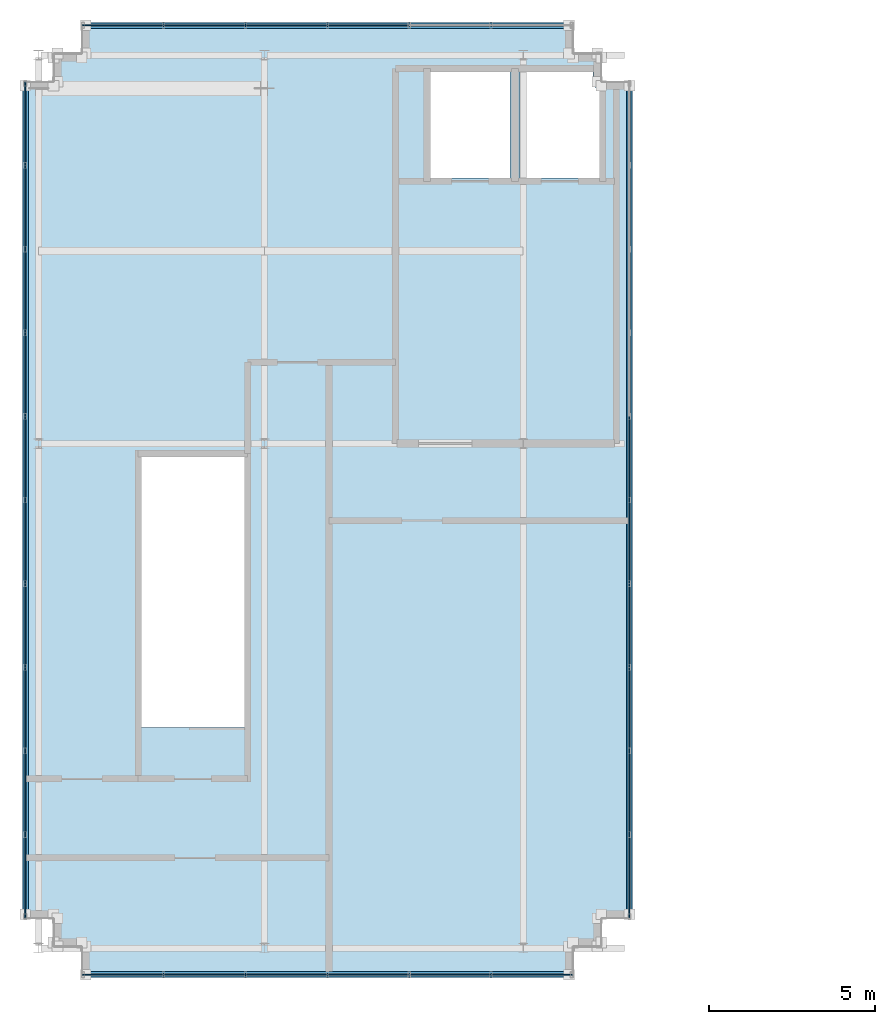
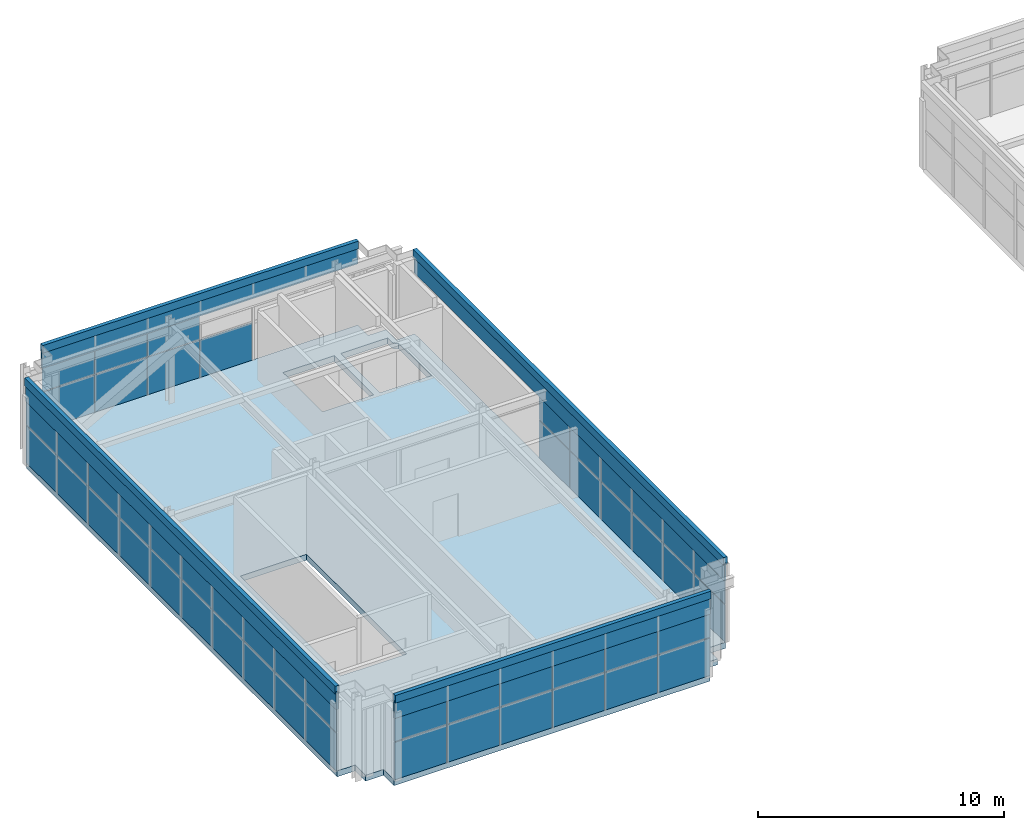
# One storey, part 18 of 25: 59 plates, 1 slab, 4 elements without a shape of their own.
"""IFC4 building model written with IfcOpenShell, lengths in metres."""

import ifcopenshell
import ifcopenshell.guid

model = None  # the IFC model being written
_history = None  # IfcOwnerHistory: only IFC2X3 demands one
_inside = {}  # id of a spatial element -> (the spatial element, [elements in it])
_under = {}  # id of a project, library or spatial element -> (it, [spatial elements below it])
_declared = {}  # id of a project -> (the project, [libraries it declares])
_typed = {}  # id of a type object -> (the type object, [elements of that type])
_made_of = {}  # id of a material, layer set ... -> (it, [elements and type objects made of it])


def new_model(schema):
    """Start an empty IFC model of exactly this schema.

    Asked for "IFC4X3", IfcOpenShell would pick the latest addendum, in which some entities
    have other attributes; the version numbers below select the first issue.
    IFC2X3 requires an IfcOwnerHistory on every rooted entity: one is made here for all.
    """
    global model, _history
    if schema == "IFC4X3":
        model = ifcopenshell.file(schema_version=(4, 3, 0, 0))
    else:
        model = ifcopenshell.file(schema=schema)
    _inside.clear()
    _under.clear()
    _declared.clear()
    _typed.clear()
    _made_of.clear()
    _history = None
    if model.schema == "IFC2X3":
        org = make("IfcOrganization", Name="unknown")
        user = make(
            "IfcPersonAndOrganization",
            ThePerson=make("IfcPerson", FamilyName="unknown"),
            TheOrganization=org,
        )
        app = make(
            "IfcApplication",
            ApplicationDeveloper=org,
            Version="unknown",
            ApplicationFullName="unknown",
            ApplicationIdentifier="unknown",
        )
        _history = make(
            "IfcOwnerHistory",
            OwningUser=user,
            OwningApplication=app,
            ChangeAction="ADDED",
            CreationDate=0,
        )
    return model


def make(cls, **values):
    """One entity of the class cls with the attributes given. An attribute that is None is left unset."""
    return model.create_entity(
        cls, **{name: value for name, value in values.items() if value is not None}
    )


def rooted(cls, **values):
    """An entity with a GlobalId (a new one), such as an element, a storey or a relation."""
    return make(cls, GlobalId=ifcopenshell.guid.new(), OwnerHistory=_history, **values)


def si_unit(unit_type, name, prefix=None):
    """IfcSIUnit, for example si_unit("LENGTHUNIT", "METRE", prefix="MILLI")."""
    return make("IfcSIUnit", UnitType=unit_type, Prefix=prefix, Name=name)


def assignment(units):
    """IfcUnitAssignment: the units of a project."""
    return None if units is None else make("IfcUnitAssignment", Units=units)


def point(xyz):
    """IfcCartesianPoint."""
    return None if xyz is None else make("IfcCartesianPoint", Coordinates=xyz)


def direction(xyz):
    """IfcDirection."""
    return None if xyz is None else make("IfcDirection", DirectionRatios=xyz)


def frame(location, z_axis=None, x_axis=None):
    """IfcAxis2Placement3D, a coordinate frame: its origin and axes. An axis left out is left unset."""
    return make(
        "IfcAxis2Placement3D",
        Location=point(location),
        Axis=direction(z_axis),
        RefDirection=direction(x_axis),
    )


def frame_2d(location, x_axis=None):
    """IfcAxis2Placement2D, a coordinate frame in the plane: its origin and x axis."""
    return make(
        "IfcAxis2Placement2D", Location=point(location), RefDirection=direction(x_axis)
    )


def origin():
    """The frame at (0, 0, 0) with its axes left unset."""
    return frame((0.0, 0.0, 0.0))


def origin_2d():
    """The frame at (0, 0) in the plane with its x axis left unset."""
    return frame_2d((0.0, 0.0))


def place(relative_to, where):
    """IfcLocalPlacement: puts the frame where relative to a parent placement (None: the world)."""
    return make(
        "IfcLocalPlacement", PlacementRelTo=relative_to, RelativePlacement=where
    )


def context(
    kind, dimensions, precision=None, world=None, true_north=None, identifier=None
):
    """IfcGeometricRepresentationContext, for example the 3D "Model" context."""
    return make(
        "IfcGeometricRepresentationContext",
        ContextIdentifier=identifier,
        ContextType=kind,
        CoordinateSpaceDimension=dimensions,
        Precision=precision,
        WorldCoordinateSystem=world,
        TrueNorth=true_north,
    )


def subcontext(parent, identifier, kind, view, scale=None):
    """IfcGeometricRepresentationSubContext, for example "Body" below "Model"."""
    return make(
        "IfcGeometricRepresentationSubContext",
        ContextIdentifier=identifier,
        ContextType=kind,
        ParentContext=parent,
        TargetScale=scale,
        TargetView=view,
    )


def project(units=None, contexts=None):
    """IfcProject with its units and contexts."""
    return rooted(
        "IfcProject",
        Name="project",
        RepresentationContexts=contexts,
        UnitsInContext=assignment(units),
    )


def spatial(cls, under=None, at=None, **own):
    """A site, building, storey or space (cls), placed at a placement, below another one or the project."""
    s = rooted(cls, ObjectPlacement=at, **own)
    if under is not None:
        _under.setdefault(under.id(), (under, []))[1].append(s)
    return s


def polyline(points):
    """IfcPolyline through the points."""
    return make("IfcPolyline", Points=[point(p) for p in points])


def profile(cls, at=None, kind="AREA", **sizes):
    """A parametric profile (cls). Its sizes go by their IFC names, for example OverallWidth=200.0."""
    return make(cls, ProfileType=kind, Position=at, **sizes)


def rectangle(**sizes):
    """IfcRectangleProfileDef."""
    return profile("IfcRectangleProfileDef", **sizes)


def outline(outer, holes=None, kind="AREA"):
    """IfcArbitraryClosedProfileDef: a profile drawn as a closed curve; with holes, ...WithVoids."""
    if holes is None:
        return make("IfcArbitraryClosedProfileDef", ProfileType=kind, OuterCurve=outer)
    return make(
        "IfcArbitraryProfileDefWithVoids",
        ProfileType=kind,
        OuterCurve=outer,
        InnerCurves=holes,
    )


def extrude(swept, where, along, depth):
    """IfcExtrudedAreaSolid: the profile swept, set in the frame where, extruded along a direction by depth."""
    return make(
        "IfcExtrudedAreaSolid",
        SweptArea=swept,
        Position=where,
        ExtrudedDirection=direction(along),
        Depth=depth,
    )


def shape(context_of_items, identifier, shape_type, items):
    """IfcShapeRepresentation: the items that make up one representation, for example the "Body"."""
    return make(
        "IfcShapeRepresentation",
        ContextOfItems=context_of_items,
        RepresentationIdentifier=identifier,
        RepresentationType=shape_type,
        Items=items,
    )


def source(mapping_origin, context_of_items, identifier, shape_type, items):
    """IfcRepresentationMap: a shape defined once, which mapped items show again and again."""
    return make(
        "IfcRepresentationMap",
        MappingOrigin=mapping_origin,
        MappedRepresentation=shape(context_of_items, identifier, shape_type, items),
    )


def transform(
    local_origin,
    x_axis=None,
    y_axis=None,
    z_axis=None,
    scale=None,
    scale2=None,
    scale3=None,
    uniform=True,
):
    """IfcCartesianTransformationOperator3D, or its non-uniform kind. x_axis, y_axis, z_axis: its Axis1, 2, 3."""
    if uniform:
        return make(
            "IfcCartesianTransformationOperator3D",
            Axis1=direction(x_axis),
            Axis2=direction(y_axis),
            LocalOrigin=point(local_origin),
            Scale=scale,
            Axis3=direction(z_axis),
        )
    return make(
        "IfcCartesianTransformationOperator3DnonUniform",
        Axis1=direction(x_axis),
        Axis2=direction(y_axis),
        LocalOrigin=point(local_origin),
        Scale=scale,
        Axis3=direction(z_axis),
        Scale2=scale2,
        Scale3=scale3,
    )


def mapped(mapping_source, mapping_target):
    """IfcMappedItem: shows the shape of a source again, moved by a transform."""
    return make(
        "IfcMappedItem", MappingSource=mapping_source, MappingTarget=mapping_target
    )


def material(Name=None, Category=None):
    """IfcMaterial."""
    return make("IfcMaterial", Name=Name, Category=Category)


def layer(
    of_material, thickness, ventilated=None, Name=None, Category=None, Priority=None
):
    """IfcMaterialLayer: one layer of a wall or slab, of a material (None: an air gap)."""
    return make(
        "IfcMaterialLayer",
        Material=of_material,
        LayerThickness=thickness,
        IsVentilated=ventilated,
        Name=Name,
        Category=Category,
        Priority=Priority,
    )


def layer_set(layers, Name=None):
    """IfcMaterialLayerSet."""
    return make("IfcMaterialLayerSet", MaterialLayers=layers, LayerSetName=Name)


def made_of(thing, what):
    """Note that an element or type object is made of a material, layer set ...; save() writes the relation."""
    if what is not None:
        _made_of.setdefault(what.id(), (what, []))[1].append(thing)
    return thing


def type_object(cls, material=None, **own):
    """A type object (cls), such as IfcWallType, which elements share."""
    return made_of(rooted(cls, **own), material)


def element(
    cls,
    number,
    at=None,
    inside=None,
    cuts=None,
    type_object=None,
    material=None,
    context=None,
    identifier="Body",
    shape_type=None,
    held_by="IfcProductDefinitionShape",
    body=None,
    shapes=None,
    **own,
):
    """One element of the class cls, such as IfcWall. Its Tag is "e" and its number.

    at: its placement. inside: the storey or other place that contains it. cuts: it is an
    opening in that element (IfcRelVoidsElement). A single representation is given by context,
    identifier, shape_type and body (its items); several are given by shapes. held_by: the class
    of the entity that holds the representations. save() writes the other relations.
    """
    e = rooted(cls, Tag="e%d" % number, ObjectPlacement=at, **own)
    if body is not None:
        shapes = [shape(context, identifier, shape_type, body)]
    if shapes is not None:
        e.Representation = make(held_by, Representations=shapes)
    if inside is not None:
        _inside.setdefault(inside.id(), (inside, []))[1].append(e)
    if cuts is not None:
        rooted(
            "IfcRelVoidsElement", RelatingBuildingElement=cuts, RelatedOpeningElement=e
        )
    if type_object is not None:
        _typed.setdefault(type_object.id(), (type_object, []))[1].append(e)
    return made_of(e, material)


def aggregate(whole, parts):
    """IfcRelAggregates: a whole, such as a stair, and the parts it consists of."""
    return rooted("IfcRelAggregates", RelatingObject=whole, RelatedObjects=parts)


def save(model, path):
    """Write the relations noted so far, then the file.

    IfcRelAggregates (storeys below a building ...), IfcRelContainedInSpatialStructure (elements
    in a storey), IfcRelDefinesByType, IfcRelAssociatesMaterial and IfcRelDeclares: one each for
    every whole, place, type object, material and project.
    """
    for whole, parts in _under.values():
        aggregate(whole, parts)
    for where, things in _inside.values():
        rooted(
            "IfcRelContainedInSpatialStructure",
            RelatedElements=things,
            RelatingStructure=where,
        )
    for kind, things in _typed.values():
        rooted("IfcRelDefinesByType", RelatedObjects=things, RelatingType=kind)
    for what, things in _made_of.values():
        rooted("IfcRelAssociatesMaterial", RelatedObjects=things, RelatingMaterial=what)
    for by, libraries in _declared.values():
        rooted("IfcRelDeclares", RelatingContext=by, RelatedDefinitions=libraries)
    model.write(path)


model = new_model("IFC4")

# Units and contexts
model_context = context("Model", 3, precision=1e-05, world=origin(), true_north=direction((0.0, 1.0)))
body_context = subcontext(model_context, "Body", "Model", "MODEL_VIEW")
ifc_project = project(units=[si_unit("LENGTHUNIT", "METRE"), si_unit("AREAUNIT", "SQUARE_METRE"), si_unit("VOLUMEUNIT", "CUBIC_METRE"), si_unit("PLANEANGLEUNIT", "RADIAN"), si_unit("MASSUNIT", "GRAM", prefix="KILO")], contexts=[model_context])

# Site, building, storey
site_placement = place(None, origin())
site = spatial("IfcSite", under=ifc_project, at=site_placement, CompositionType="ELEMENT")
building_placement = place(site_placement, origin())
building = spatial("IfcBuilding", under=site, at=building_placement, Name="Trelvane Seafront Commons", CompositionType="ELEMENT")
storey_placement = place(building_placement, frame((0.0, 0.0, 320.89990234375)))
storey = spatial("IfcBuildingStorey", under=building, at=storey_placement, Name="L83", CompositionType="ELEMENT", Elevation=320.89990234375)

# Slab
ifc_material_1 = material(Name="Concrete C50/60", Category="concrete")
ifc_layer_1 = layer(ifc_material_1, 0.2900390625, Name="STR-SLB-CRN290")
ifc_layer_set_1 = layer_set([ifc_layer_1], Name="Concrete C50/60")
slab_type = type_object("IfcSlabType", Name="STR-SLB-CRN290", PredefinedType="FLOOR", material=ifc_layer_set_1)
slab_placement = place(storey_placement, frame((0.0, 0.0, -0.289794921875)))
element("IfcSlab", 1, at=slab_placement, inside=storey, type_object=slab_type, Name="L83 West Crown Peak Floor Slab", PredefinedType="FLOOR", context=body_context, shape_type="SweptSolid", body=[
    extrude(outline(polyline([(10.10009765625, 17.39990234375), (24.89990234375, 17.39990234375), (24.89990234375, 18.25), (25.75, 18.25), (25.75, 19.10009765625), (26.60009765625, 19.10009765625), (26.60009765625, 44.300048828125), (25.75, 44.300048828125), (25.75, 45.14990234375), (24.89990234375, 45.14990234375), (24.89990234375, 46.0), (10.10009765625, 46.0), (10.10009765625, 45.14990234375), (9.25, 45.14990234375), (9.25, 44.300048828125), (8.39990234375, 44.300048828125), (8.39990234375, 19.10009765625), (9.25, 19.10009765625), (9.25, 18.25), (10.10009765625, 18.25), (10.10009765625, 17.39990234375)]), holes=[polyline([(15.0, 33.0), (15.0, 24.85009765625), (11.89990234375, 24.85009765625), (11.89990234375, 33.0), (15.0, 33.0)]), polyline([(23.0, 44.60009765625), (23.0, 41.39990234375), (20.60009765625, 41.39990234375), (20.60009765625, 44.60009765625), (23.0, 44.60009765625)]), polyline([(25.5, 44.60009765625), (25.5, 44.300048828125), (25.501220703125, 44.275390625), (25.5048828125, 44.251220703125), (25.5107421875, 44.227294921875), (25.51904296875, 44.204345703125), (25.529541015625, 44.18212890625), (25.5419921875, 44.1611328125), (25.556640625, 44.141357421875), (25.5732421875, 44.123291015625), (25.59130859375, 44.106689453125), (25.611083984375, 44.092041015625), (25.632080078125, 44.07958984375), (25.654296875, 44.069091796875), (25.677490234375, 44.060791015625), (25.699951171875, 44.05517578125), (25.699951171875, 41.39990234375), (23.300048828125, 41.39990234375), (23.300048828125, 44.60009765625), (25.5, 44.60009765625)])]), origin(), (0.0, 0.0, 1.0), 0.289794921875),
])

# Plates
ifc_material_2 = material(Name="Anodised pale-silver aluminium", Category="aluminium")
ifc_layer_2 = layer(ifc_material_2, 0.080078125, Name="ARCH-PLATE-LOUVRE")
ifc_layer_set_2 = layer_set([ifc_layer_2], Name="Anodised pale-silver aluminium")
plate_type_1 = type_object("IfcPlateType", Name="ARCH-PLATE-LOUVRE", PredefinedType="USERDEFINED", material=ifc_layer_set_2)
shared_shape_1 = source(origin(), body_context, "Body", "SweptSolid", [
    extrude(rectangle(XDim=25.199951171875, YDim=0.080078125, at=origin_2d()), origin(), (0.0, 0.0, 1.0), 0.889892578125),
])
for number, where, z_axis, x_axis, name in (
    (2, (8.39990234375, 31.699951171875, 3.05029296875), (0.0, 0.0, 1.0), (0.0, 1.0, 0.0), "LOU-L83-049"),
    (3, (26.60009765625, 31.699951171875, 3.05029296875), (0.0, 0.0, 1.0), (0.0, -1.0, 0.0), "LOU-L83-051"),
):
    element("IfcPlate", number, at=place(storey_placement, frame(where, z_axis=z_axis, x_axis=x_axis)), inside=storey, type_object=plate_type_1, Name=name, ObjectType="LOUVRE", PredefinedType="USERDEFINED", context=body_context, shape_type="MappedRepresentation", body=[
        mapped(shared_shape_1, transform((0.0, 0.0, 0.0), x_axis=(1.0, 0.0, 0.0), y_axis=(0.0, 1.0, 0.0), z_axis=(0.0, 0.0, 1.0), scale=1.0)),
    ])
shared_shape_2 = source(origin(), body_context, "Body", "SweptSolid", [
    extrude(rectangle(XDim=14.800048828125, YDim=0.080078125, at=origin_2d()), origin(), (0.0, 0.0, 1.0), 0.889892578125),
])
for number, where, z_axis, x_axis, name in (
    (4, (17.5, 46.0, 3.05029296875), (0.0, 0.0, 1.0), (1.0, 0.0, 0.0), "LOU-L83-050"),
    (5, (17.5, 17.39990234375, 3.05029296875), (0.0, 0.0, 1.0), (-1.0, 0.0, 0.0), "LOU-L83-052"),
):
    element("IfcPlate", number, at=place(storey_placement, frame(where, z_axis=z_axis, x_axis=x_axis)), inside=storey, type_object=plate_type_1, Name=name, ObjectType="LOUVRE", PredefinedType="USERDEFINED", context=body_context, shape_type="MappedRepresentation", body=[
        mapped(shared_shape_2, transform((0.0, 0.0, 0.0), x_axis=(1.0, 0.0, 0.0), y_axis=(0.0, 1.0, 0.0), z_axis=(0.0, 0.0, 1.0), scale=1.0)),
    ])

# Curtain wall, plates
curtain_wall_type = type_object("IfcCurtainWallType", Name="ARCH-CW6-CROWN", PredefinedType="NOTDEFINED", material=ifc_material_2)
curtain_wall_1_placement = place(storey_placement, origin())
curtain_wall_1 = element("IfcCurtainWall", 6, at=curtain_wall_1_placement, inside=storey, type_object=curtain_wall_type, Name="CW-L83-0160", PredefinedType="NOTDEFINED")
ifc_material_3 = material(Name="Low-E coastal double glazing", Category="glass")
ifc_layer_3 = layer(ifc_material_3, 0.033935546875, Name="ARCH-CW-GLAZ-34")
ifc_layer_set_3 = layer_set([ifc_layer_3], Name="Low-E coastal double glazing")
plate_type_2 = type_object("IfcPlateType", Name="ARCH-CW-GLAZ-34", PredefinedType="CURTAIN_PANEL", material=ifc_layer_set_3)
shared_shape_3 = source(origin(), body_context, "Body", "SweptSolid", [
    extrude(rectangle(XDim=2.49609375, YDim=0.031982421875, at=origin_2d()), origin(), (0.0, 0.0, 1.0), 1.85400390625),
])
plate_1_placement = place(storey_placement, frame((8.39990234375, 20.360107421875, 0.0), z_axis=(0.0, 0.0, 1.0), x_axis=(0.0, 1.0, 0.0)))
plate_1 = element("IfcPlate", 7, at=plate_1_placement, type_object=plate_type_2, Name="CW-L83-0160-P00-1", PredefinedType="CURTAIN_PANEL", context=body_context, shape_type="MappedRepresentation", body=[
    mapped(shared_shape_3, transform((0.0, 0.0, 0.0), x_axis=(1.0, 0.0, 0.0), y_axis=(0.0, 1.0, 0.0), z_axis=(0.0, 0.0, 1.0), scale=1.0)),
])
plate_2_placement = place(storey_placement, frame((8.39990234375, 22.8798828125, 0.0), z_axis=(0.0, 0.0, 1.0), x_axis=(0.0, 1.0, 0.0)))
plate_2 = element("IfcPlate", 8, at=plate_2_placement, type_object=plate_type_2, Name="CW-L83-0160-P01-1", PredefinedType="CURTAIN_PANEL", context=body_context, shape_type="MappedRepresentation", body=[
    mapped(shared_shape_3, transform((0.0, 0.0, 0.0), x_axis=(1.0, 0.0, 0.0), y_axis=(0.0, 1.0, 0.0), z_axis=(0.0, 0.0, 1.0), scale=1.0)),
])
plate_3_placement = place(storey_placement, frame((8.39990234375, 25.39990234375, 0.0), z_axis=(0.0, 0.0, 1.0), x_axis=(0.0, 1.0, 0.0)))
plate_3 = element("IfcPlate", 9, at=plate_3_placement, type_object=plate_type_2, Name="CW-L83-0160-P02-1", PredefinedType="CURTAIN_PANEL", context=body_context, shape_type="MappedRepresentation", body=[
    mapped(shared_shape_3, transform((0.0, 0.0, 0.0), x_axis=(1.0, 0.0, 0.0), y_axis=(0.0, 1.0, 0.0), z_axis=(0.0, 0.0, 1.0), scale=1.0)),
])
plate_4_placement = place(storey_placement, frame((8.39990234375, 27.919921875, 0.0), z_axis=(0.0, 0.0, 1.0), x_axis=(0.0, 1.0, 0.0)))
plate_4 = element("IfcPlate", 10, at=plate_4_placement, type_object=plate_type_2, Name="CW-L83-0160-P03-1", PredefinedType="CURTAIN_PANEL", context=body_context, shape_type="MappedRepresentation", body=[
    mapped(shared_shape_3, transform((0.0, 0.0, 0.0), x_axis=(1.0, 0.0, 0.0), y_axis=(0.0, 1.0, 0.0), z_axis=(0.0, 0.0, 1.0), scale=1.0)),
])
plate_5_placement = place(storey_placement, frame((8.39990234375, 30.43994140625, 0.0), z_axis=(0.0, 0.0, 1.0), x_axis=(0.0, 1.0, 0.0)))
plate_5 = element("IfcPlate", 11, at=plate_5_placement, type_object=plate_type_2, Name="CW-L83-0160-P04-1", PredefinedType="CURTAIN_PANEL", context=body_context, shape_type="MappedRepresentation", body=[
    mapped(shared_shape_3, transform((0.0, 0.0, 0.0), x_axis=(1.0, 0.0, 0.0), y_axis=(0.0, 1.0, 0.0), z_axis=(0.0, 0.0, 1.0), scale=1.0)),
])
plate_6_placement = place(storey_placement, frame((8.39990234375, 32.9599609375, 0.0), z_axis=(0.0, 0.0, 1.0), x_axis=(0.0, 1.0, 0.0)))
plate_6 = element("IfcPlate", 12, at=plate_6_placement, type_object=plate_type_2, Name="CW-L83-0160-P05-1", PredefinedType="CURTAIN_PANEL", context=body_context, shape_type="MappedRepresentation", body=[
    mapped(shared_shape_3, transform((0.0, 0.0, 0.0), x_axis=(1.0, 0.0, 0.0), y_axis=(0.0, 1.0, 0.0), z_axis=(0.0, 0.0, 1.0), scale=1.0)),
])
plate_7_placement = place(storey_placement, frame((8.39990234375, 35.47998046875, 0.0), z_axis=(0.0, 0.0, 1.0), x_axis=(0.0, 1.0, 0.0)))
plate_7 = element("IfcPlate", 13, at=plate_7_placement, type_object=plate_type_2, Name="CW-L83-0160-P06-1", PredefinedType="CURTAIN_PANEL", context=body_context, shape_type="MappedRepresentation", body=[
    mapped(shared_shape_3, transform((0.0, 0.0, 0.0), x_axis=(1.0, 0.0, 0.0), y_axis=(0.0, 1.0, 0.0), z_axis=(0.0, 0.0, 1.0), scale=1.0)),
])
plate_8_placement = place(storey_placement, frame((8.39990234375, 38.0, 0.0), z_axis=(0.0, 0.0, 1.0), x_axis=(0.0, 1.0, 0.0)))
plate_8 = element("IfcPlate", 14, at=plate_8_placement, type_object=plate_type_2, Name="CW-L83-0160-P07-1", PredefinedType="CURTAIN_PANEL", context=body_context, shape_type="MappedRepresentation", body=[
    mapped(shared_shape_3, transform((0.0, 0.0, 0.0), x_axis=(1.0, 0.0, 0.0), y_axis=(0.0, 1.0, 0.0), z_axis=(0.0, 0.0, 1.0), scale=1.0)),
])
plate_9_placement = place(storey_placement, frame((8.39990234375, 40.52001953125, 0.0), z_axis=(0.0, 0.0, 1.0), x_axis=(0.0, 1.0, 0.0)))
plate_9 = element("IfcPlate", 15, at=plate_9_placement, type_object=plate_type_2, Name="CW-L83-0160-P08-1", PredefinedType="CURTAIN_PANEL", context=body_context, shape_type="MappedRepresentation", body=[
    mapped(shared_shape_3, transform((0.0, 0.0, 0.0), x_axis=(1.0, 0.0, 0.0), y_axis=(0.0, 1.0, 0.0), z_axis=(0.0, 0.0, 1.0), scale=1.0)),
])
plate_10_placement = place(storey_placement, frame((8.39990234375, 43.0400390625, 0.0), z_axis=(0.0, 0.0, 1.0), x_axis=(0.0, 1.0, 0.0)))
plate_10 = element("IfcPlate", 16, at=plate_10_placement, type_object=plate_type_2, Name="CW-L83-0160-P09-1", PredefinedType="CURTAIN_PANEL", context=body_context, shape_type="MappedRepresentation", body=[
    mapped(shared_shape_3, transform((0.0, 0.0, 0.0), x_axis=(1.0, 0.0, 0.0), y_axis=(0.0, 1.0, 0.0), z_axis=(0.0, 0.0, 1.0), scale=1.0)),
])

curtain_wall_2_placement = place(storey_placement, origin())
curtain_wall_2 = element("IfcCurtainWall", 17, at=curtain_wall_2_placement, inside=storey, type_object=curtain_wall_type, Name="CW-L83-0162", PredefinedType="NOTDEFINED")
plate_11_placement = place(storey_placement, frame((26.60009765625, 32.9599609375, 0.0), z_axis=(0.0, 0.0, 1.0), x_axis=(0.0, -1.0, 0.0)))
plate_11 = element("IfcPlate", 18, at=plate_11_placement, type_object=plate_type_2, Name="CW-L83-0162-P04-1", PredefinedType="CURTAIN_PANEL", context=body_context, shape_type="MappedRepresentation", body=[
    mapped(shared_shape_3, transform((0.0, 0.0, 0.0), x_axis=(1.0, 0.0, 0.0), y_axis=(0.0, 1.0, 0.0), z_axis=(0.0, 0.0, 1.0), scale=1.0)),
])
plate_12_placement = place(storey_placement, frame((26.60009765625, 30.43994140625, 0.0), z_axis=(0.0, 0.0, 1.0), x_axis=(0.0, -1.0, 0.0)))
plate_12 = element("IfcPlate", 19, at=plate_12_placement, type_object=plate_type_2, Name="CW-L83-0162-P05-1", PredefinedType="CURTAIN_PANEL", context=body_context, shape_type="MappedRepresentation", body=[
    mapped(shared_shape_3, transform((0.0, 0.0, 0.0), x_axis=(1.0, 0.0, 0.0), y_axis=(0.0, 1.0, 0.0), z_axis=(0.0, 0.0, 1.0), scale=1.0)),
])
plate_13_placement = place(storey_placement, frame((26.60009765625, 27.919921875, 0.0), z_axis=(0.0, 0.0, 1.0), x_axis=(0.0, -1.0, 0.0)))
plate_13 = element("IfcPlate", 20, at=plate_13_placement, type_object=plate_type_2, Name="CW-L83-0162-P06-1", PredefinedType="CURTAIN_PANEL", context=body_context, shape_type="MappedRepresentation", body=[
    mapped(shared_shape_3, transform((0.0, 0.0, 0.0), x_axis=(1.0, 0.0, 0.0), y_axis=(0.0, 1.0, 0.0), z_axis=(0.0, 0.0, 1.0), scale=1.0)),
])
plate_14_placement = place(storey_placement, frame((26.60009765625, 25.39990234375, 0.0), z_axis=(0.0, 0.0, 1.0), x_axis=(0.0, -1.0, 0.0)))
plate_14 = element("IfcPlate", 21, at=plate_14_placement, type_object=plate_type_2, Name="CW-L83-0162-P07-1", PredefinedType="CURTAIN_PANEL", context=body_context, shape_type="MappedRepresentation", body=[
    mapped(shared_shape_3, transform((0.0, 0.0, 0.0), x_axis=(1.0, 0.0, 0.0), y_axis=(0.0, 1.0, 0.0), z_axis=(0.0, 0.0, 1.0), scale=1.0)),
])
plate_15_placement = place(storey_placement, frame((26.60009765625, 22.8798828125, 0.0), z_axis=(0.0, 0.0, 1.0), x_axis=(0.0, -1.0, 0.0)))
plate_15 = element("IfcPlate", 22, at=plate_15_placement, type_object=plate_type_2, Name="CW-L83-0162-P08-1", PredefinedType="CURTAIN_PANEL", context=body_context, shape_type="MappedRepresentation", body=[
    mapped(shared_shape_3, transform((0.0, 0.0, 0.0), x_axis=(1.0, 0.0, 0.0), y_axis=(0.0, 1.0, 0.0), z_axis=(0.0, 0.0, 1.0), scale=1.0)),
])
plate_16_placement = place(storey_placement, frame((26.60009765625, 20.360107421875, 0.0), z_axis=(0.0, 0.0, 1.0), x_axis=(0.0, -1.0, 0.0)))
plate_16 = element("IfcPlate", 23, at=plate_16_placement, type_object=plate_type_2, Name="CW-L83-0162-P09-1", PredefinedType="CURTAIN_PANEL", context=body_context, shape_type="MappedRepresentation", body=[
    mapped(shared_shape_3, transform((0.0, 0.0, 0.0), x_axis=(1.0, 0.0, 0.0), y_axis=(0.0, 1.0, 0.0), z_axis=(0.0, 0.0, 1.0), scale=1.0)),
])

# Plate
shared_shape_4 = source(origin(), body_context, "Body", "SweptSolid", [
    extrude(rectangle(XDim=2.49609375, YDim=0.031982421875, at=origin_2d()), origin(), (0.0, 0.0, 1.0), 2.010009765625),
])
plate_17_placement = place(storey_placement, frame((8.39990234375, 20.360107421875, 1.89013671875), z_axis=(0.0, 0.0, 1.0), x_axis=(0.0, 1.0, 0.0)))
plate_17 = element("IfcPlate", 24, at=plate_17_placement, type_object=plate_type_2, Name="CW-L83-0160-P00-2", PredefinedType="CURTAIN_PANEL", context=body_context, shape_type="MappedRepresentation", body=[
    mapped(shared_shape_4, transform((0.0, 0.0, 0.0), x_axis=(1.0, 0.0, 0.0), y_axis=(0.0, 1.0, 0.0), z_axis=(0.0, 0.0, 1.0), scale=1.0)),
])

plate_18_placement = place(storey_placement, frame((8.39990234375, 22.8798828125, 1.89013671875), z_axis=(0.0, 0.0, 1.0), x_axis=(0.0, 1.0, 0.0)))
plate_18 = element("IfcPlate", 25, at=plate_18_placement, type_object=plate_type_2, Name="CW-L83-0160-P01-2", PredefinedType="CURTAIN_PANEL", context=body_context, shape_type="MappedRepresentation", body=[
    mapped(shared_shape_4, transform((0.0, 0.0, 0.0), x_axis=(1.0, 0.0, 0.0), y_axis=(0.0, 1.0, 0.0), z_axis=(0.0, 0.0, 1.0), scale=1.0)),
])

plate_19_placement = place(storey_placement, frame((8.39990234375, 25.39990234375, 1.89013671875), z_axis=(0.0, 0.0, 1.0), x_axis=(0.0, 1.0, 0.0)))
plate_19 = element("IfcPlate", 26, at=plate_19_placement, type_object=plate_type_2, Name="CW-L83-0160-P02-2", PredefinedType="CURTAIN_PANEL", context=body_context, shape_type="MappedRepresentation", body=[
    mapped(shared_shape_4, transform((0.0, 0.0, 0.0), x_axis=(1.0, 0.0, 0.0), y_axis=(0.0, 1.0, 0.0), z_axis=(0.0, 0.0, 1.0), scale=1.0)),
])

plate_20_placement = place(storey_placement, frame((8.39990234375, 27.919921875, 1.89013671875), z_axis=(0.0, 0.0, 1.0), x_axis=(0.0, 1.0, 0.0)))
plate_20 = element("IfcPlate", 27, at=plate_20_placement, type_object=plate_type_2, Name="CW-L83-0160-P03-2", PredefinedType="CURTAIN_PANEL", context=body_context, shape_type="MappedRepresentation", body=[
    mapped(shared_shape_4, transform((0.0, 0.0, 0.0), x_axis=(1.0, 0.0, 0.0), y_axis=(0.0, 1.0, 0.0), z_axis=(0.0, 0.0, 1.0), scale=1.0)),
])

plate_21_placement = place(storey_placement, frame((8.39990234375, 30.43994140625, 1.89013671875), z_axis=(0.0, 0.0, 1.0), x_axis=(0.0, 1.0, 0.0)))
plate_21 = element("IfcPlate", 28, at=plate_21_placement, type_object=plate_type_2, Name="CW-L83-0160-P04-2", PredefinedType="CURTAIN_PANEL", context=body_context, shape_type="MappedRepresentation", body=[
    mapped(shared_shape_4, transform((0.0, 0.0, 0.0), x_axis=(1.0, 0.0, 0.0), y_axis=(0.0, 1.0, 0.0), z_axis=(0.0, 0.0, 1.0), scale=1.0)),
])

plate_22_placement = place(storey_placement, frame((8.39990234375, 32.9599609375, 1.89013671875), z_axis=(0.0, 0.0, 1.0), x_axis=(0.0, 1.0, 0.0)))
plate_22 = element("IfcPlate", 29, at=plate_22_placement, type_object=plate_type_2, Name="CW-L83-0160-P05-2", PredefinedType="CURTAIN_PANEL", context=body_context, shape_type="MappedRepresentation", body=[
    mapped(shared_shape_4, transform((0.0, 0.0, 0.0), x_axis=(1.0, 0.0, 0.0), y_axis=(0.0, 1.0, 0.0), z_axis=(0.0, 0.0, 1.0), scale=1.0)),
])

plate_23_placement = place(storey_placement, frame((8.39990234375, 35.47998046875, 1.89013671875), z_axis=(0.0, 0.0, 1.0), x_axis=(0.0, 1.0, 0.0)))
plate_23 = element("IfcPlate", 30, at=plate_23_placement, type_object=plate_type_2, Name="CW-L83-0160-P06-2", PredefinedType="CURTAIN_PANEL", context=body_context, shape_type="MappedRepresentation", body=[
    mapped(shared_shape_4, transform((0.0, 0.0, 0.0), x_axis=(1.0, 0.0, 0.0), y_axis=(0.0, 1.0, 0.0), z_axis=(0.0, 0.0, 1.0), scale=1.0)),
])

plate_24_placement = place(storey_placement, frame((8.39990234375, 38.0, 1.89013671875), z_axis=(0.0, 0.0, 1.0), x_axis=(0.0, 1.0, 0.0)))
plate_24 = element("IfcPlate", 31, at=plate_24_placement, type_object=plate_type_2, Name="CW-L83-0160-P07-2", PredefinedType="CURTAIN_PANEL", context=body_context, shape_type="MappedRepresentation", body=[
    mapped(shared_shape_4, transform((0.0, 0.0, 0.0), x_axis=(1.0, 0.0, 0.0), y_axis=(0.0, 1.0, 0.0), z_axis=(0.0, 0.0, 1.0), scale=1.0)),
])

plate_25_placement = place(storey_placement, frame((8.39990234375, 40.52001953125, 1.89013671875), z_axis=(0.0, 0.0, 1.0), x_axis=(0.0, 1.0, 0.0)))
plate_25 = element("IfcPlate", 32, at=plate_25_placement, type_object=plate_type_2, Name="CW-L83-0160-P08-2", PredefinedType="CURTAIN_PANEL", context=body_context, shape_type="MappedRepresentation", body=[
    mapped(shared_shape_4, transform((0.0, 0.0, 0.0), x_axis=(1.0, 0.0, 0.0), y_axis=(0.0, 1.0, 0.0), z_axis=(0.0, 0.0, 1.0), scale=1.0)),
])

plate_26_placement = place(storey_placement, frame((8.39990234375, 43.0400390625, 1.89013671875), z_axis=(0.0, 0.0, 1.0), x_axis=(0.0, 1.0, 0.0)))
plate_26 = element("IfcPlate", 33, at=plate_26_placement, type_object=plate_type_2, Name="CW-L83-0160-P09-2", PredefinedType="CURTAIN_PANEL", context=body_context, shape_type="MappedRepresentation", body=[
    mapped(shared_shape_4, transform((0.0, 0.0, 0.0), x_axis=(1.0, 0.0, 0.0), y_axis=(0.0, 1.0, 0.0), z_axis=(0.0, 0.0, 1.0), scale=1.0)),
])

aggregate(curtain_wall_1, [plate_1, plate_17, plate_2, plate_18, plate_3, plate_19, plate_4, plate_20, plate_5, plate_21, plate_6, plate_22, plate_7, plate_23, plate_8, plate_24, plate_9, plate_25, plate_10, plate_26])

plate_27_placement = place(storey_placement, frame((26.60009765625, 32.9599609375, 1.89013671875), z_axis=(0.0, 0.0, 1.0), x_axis=(0.0, -1.0, 0.0)))
plate_27 = element("IfcPlate", 34, at=plate_27_placement, type_object=plate_type_2, Name="CW-L83-0162-P04-2", PredefinedType="CURTAIN_PANEL", context=body_context, shape_type="MappedRepresentation", body=[
    mapped(shared_shape_4, transform((0.0, 0.0, 0.0), x_axis=(1.0, 0.0, 0.0), y_axis=(0.0, 1.0, 0.0), z_axis=(0.0, 0.0, 1.0), scale=1.0)),
])

plate_28_placement = place(storey_placement, frame((26.60009765625, 30.43994140625, 1.89013671875), z_axis=(0.0, 0.0, 1.0), x_axis=(0.0, -1.0, 0.0)))
plate_28 = element("IfcPlate", 35, at=plate_28_placement, type_object=plate_type_2, Name="CW-L83-0162-P05-2", PredefinedType="CURTAIN_PANEL", context=body_context, shape_type="MappedRepresentation", body=[
    mapped(shared_shape_4, transform((0.0, 0.0, 0.0), x_axis=(1.0, 0.0, 0.0), y_axis=(0.0, 1.0, 0.0), z_axis=(0.0, 0.0, 1.0), scale=1.0)),
])

plate_29_placement = place(storey_placement, frame((26.60009765625, 27.919921875, 1.89013671875), z_axis=(0.0, 0.0, 1.0), x_axis=(0.0, -1.0, 0.0)))
plate_29 = element("IfcPlate", 36, at=plate_29_placement, type_object=plate_type_2, Name="CW-L83-0162-P06-2", PredefinedType="CURTAIN_PANEL", context=body_context, shape_type="MappedRepresentation", body=[
    mapped(shared_shape_4, transform((0.0, 0.0, 0.0), x_axis=(1.0, 0.0, 0.0), y_axis=(0.0, 1.0, 0.0), z_axis=(0.0, 0.0, 1.0), scale=1.0)),
])

plate_30_placement = place(storey_placement, frame((26.60009765625, 25.39990234375, 1.89013671875), z_axis=(0.0, 0.0, 1.0), x_axis=(0.0, -1.0, 0.0)))
plate_30 = element("IfcPlate", 37, at=plate_30_placement, type_object=plate_type_2, Name="CW-L83-0162-P07-2", PredefinedType="CURTAIN_PANEL", context=body_context, shape_type="MappedRepresentation", body=[
    mapped(shared_shape_4, transform((0.0, 0.0, 0.0), x_axis=(1.0, 0.0, 0.0), y_axis=(0.0, 1.0, 0.0), z_axis=(0.0, 0.0, 1.0), scale=1.0)),
])

plate_31_placement = place(storey_placement, frame((26.60009765625, 22.8798828125, 1.89013671875), z_axis=(0.0, 0.0, 1.0), x_axis=(0.0, -1.0, 0.0)))
plate_31 = element("IfcPlate", 38, at=plate_31_placement, type_object=plate_type_2, Name="CW-L83-0162-P08-2", PredefinedType="CURTAIN_PANEL", context=body_context, shape_type="MappedRepresentation", body=[
    mapped(shared_shape_4, transform((0.0, 0.0, 0.0), x_axis=(1.0, 0.0, 0.0), y_axis=(0.0, 1.0, 0.0), z_axis=(0.0, 0.0, 1.0), scale=1.0)),
])

plate_32_placement = place(storey_placement, frame((26.60009765625, 20.360107421875, 1.89013671875), z_axis=(0.0, 0.0, 1.0), x_axis=(0.0, -1.0, 0.0)))
plate_32 = element("IfcPlate", 39, at=plate_32_placement, type_object=plate_type_2, Name="CW-L83-0162-P09-2", PredefinedType="CURTAIN_PANEL", context=body_context, shape_type="MappedRepresentation", body=[
    mapped(shared_shape_4, transform((0.0, 0.0, 0.0), x_axis=(1.0, 0.0, 0.0), y_axis=(0.0, 1.0, 0.0), z_axis=(0.0, 0.0, 1.0), scale=1.0)),
])

aggregate(curtain_wall_2, [plate_11, plate_27, plate_12, plate_28, plate_13, plate_29, plate_14, plate_30, plate_15, plate_31, plate_16, plate_32])

# Plates
ifc_layer_4 = layer(ifc_material_2, 0.179931640625, Name="ARCH-PLATE-AERO")
ifc_layer_set_4 = layer_set([ifc_layer_4], Name="Anodised pale-silver aluminium")
plate_type_3 = type_object("IfcPlateType", Name="ARCH-PLATE-AERO", PredefinedType="SHEET", material=ifc_layer_set_4)
shared_shape_5 = source(origin(), body_context, "Body", "SweptSolid", [
    extrude(rectangle(XDim=25.199951171875, YDim=0.179931640625, at=origin_2d()), origin(), (0.0, 0.0, 1.0), 0.3798828125),
])
for number, where, z_axis, x_axis, name in (
    (40, (8.39990234375, 31.699951171875, 3.840087890625), (0.0, 0.0, 1.0), (0.0, 1.0, 0.0), "AER-L83-00306"),
    (41, (26.60009765625, 31.699951171875, 3.840087890625), (0.0, 0.0, 1.0), (0.0, -1.0, 0.0), "AER-L83-00308"),
):
    element("IfcPlate", number, at=place(storey_placement, frame(where, z_axis=z_axis, x_axis=x_axis)), inside=storey, type_object=plate_type_3, Name=name, PredefinedType="SHEET", context=body_context, shape_type="MappedRepresentation", body=[
        mapped(shared_shape_5, transform((0.0, 0.0, 0.0), x_axis=(1.0, 0.0, 0.0), y_axis=(0.0, 1.0, 0.0), z_axis=(0.0, 0.0, 1.0), scale=1.0)),
    ])

# Curtain wall, plates
curtain_wall_3_placement = place(storey_placement, origin())
curtain_wall_3 = element("IfcCurtainWall", 42, at=curtain_wall_3_placement, inside=storey, type_object=curtain_wall_type, Name="CW-L83-0161", PredefinedType="NOTDEFINED")
shared_shape_6 = source(origin(), body_context, "Body", "SweptSolid", [
    extrude(rectangle(XDim=2.442626953125, YDim=0.031982421875, at=origin_2d()), origin(), (0.0, 0.0, 1.0), 1.85400390625),
])
plate_33_placement = place(storey_placement, frame((11.333251953125, 46.0, 0.0), z_axis=(0.0, 0.0, 1.0), x_axis=(1.0, 0.0, 0.0)))
plate_33 = element("IfcPlate", 43, at=plate_33_placement, type_object=plate_type_2, Name="CW-L83-0161-P00-1", PredefinedType="CURTAIN_PANEL", context=body_context, shape_type="MappedRepresentation", body=[
    mapped(shared_shape_6, transform((0.0, 0.0, 0.0), x_axis=(1.0, 0.0, 0.0), y_axis=(0.0, 1.0, 0.0), z_axis=(0.0, 0.0, 1.0), scale=1.0)),
])
plate_34_placement = place(storey_placement, frame((13.800048828125, 46.0, 0.0), z_axis=(0.0, 0.0, 1.0), x_axis=(1.0, 0.0, 0.0)))
plate_34 = element("IfcPlate", 44, at=plate_34_placement, type_object=plate_type_2, Name="CW-L83-0161-P01-1", PredefinedType="CURTAIN_PANEL", context=body_context, shape_type="MappedRepresentation", body=[
    mapped(shared_shape_6, transform((0.0, 0.0, 0.0), x_axis=(1.0, 0.0, 0.0), y_axis=(0.0, 1.0, 0.0), z_axis=(0.0, 0.0, 1.0), scale=1.0)),
])
plate_35_placement = place(storey_placement, frame((16.2666015625, 46.0, 0.0), z_axis=(0.0, 0.0, 1.0), x_axis=(1.0, 0.0, 0.0)))
plate_35 = element("IfcPlate", 45, at=plate_35_placement, type_object=plate_type_2, Name="CW-L83-0161-P02-1", PredefinedType="CURTAIN_PANEL", context=body_context, shape_type="MappedRepresentation", body=[
    mapped(shared_shape_6, transform((0.0, 0.0, 0.0), x_axis=(1.0, 0.0, 0.0), y_axis=(0.0, 1.0, 0.0), z_axis=(0.0, 0.0, 1.0), scale=1.0)),
])
plate_36_placement = place(storey_placement, frame((18.7333984375, 46.0, 0.0), z_axis=(0.0, 0.0, 1.0), x_axis=(1.0, 0.0, 0.0)))
plate_36 = element("IfcPlate", 46, at=plate_36_placement, type_object=plate_type_2, Name="CW-L83-0161-P03-1", PredefinedType="CURTAIN_PANEL", context=body_context, shape_type="MappedRepresentation", body=[
    mapped(shared_shape_6, transform((0.0, 0.0, 0.0), x_axis=(1.0, 0.0, 0.0), y_axis=(0.0, 1.0, 0.0), z_axis=(0.0, 0.0, 1.0), scale=1.0)),
])

curtain_wall_4_placement = place(storey_placement, origin())
curtain_wall_4 = element("IfcCurtainWall", 47, at=curtain_wall_4_placement, inside=storey, type_object=curtain_wall_type, Name="CW-L83-0163", PredefinedType="NOTDEFINED")
plate_37_placement = place(storey_placement, frame((23.666748046875, 17.39990234375, 0.0), z_axis=(0.0, 0.0, 1.0), x_axis=(-1.0, 0.0, 0.0)))
plate_37 = element("IfcPlate", 48, at=plate_37_placement, type_object=plate_type_2, Name="CW-L83-0163-P00-1", PredefinedType="CURTAIN_PANEL", context=body_context, shape_type="MappedRepresentation", body=[
    mapped(shared_shape_6, transform((0.0, 0.0, 0.0), x_axis=(1.0, 0.0, 0.0), y_axis=(0.0, 1.0, 0.0), z_axis=(0.0, 0.0, 1.0), scale=1.0)),
])
plate_38_placement = place(storey_placement, frame((21.199951171875, 17.39990234375, 0.0), z_axis=(0.0, 0.0, 1.0), x_axis=(-1.0, 0.0, 0.0)))
plate_38 = element("IfcPlate", 49, at=plate_38_placement, type_object=plate_type_2, Name="CW-L83-0163-P01-1", PredefinedType="CURTAIN_PANEL", context=body_context, shape_type="MappedRepresentation", body=[
    mapped(shared_shape_6, transform((0.0, 0.0, 0.0), x_axis=(1.0, 0.0, 0.0), y_axis=(0.0, 1.0, 0.0), z_axis=(0.0, 0.0, 1.0), scale=1.0)),
])
plate_39_placement = place(storey_placement, frame((18.7333984375, 17.39990234375, 0.0), z_axis=(0.0, 0.0, 1.0), x_axis=(-1.0, 0.0, 0.0)))
plate_39 = element("IfcPlate", 50, at=plate_39_placement, type_object=plate_type_2, Name="CW-L83-0163-P02-1", PredefinedType="CURTAIN_PANEL", context=body_context, shape_type="MappedRepresentation", body=[
    mapped(shared_shape_6, transform((0.0, 0.0, 0.0), x_axis=(1.0, 0.0, 0.0), y_axis=(0.0, 1.0, 0.0), z_axis=(0.0, 0.0, 1.0), scale=1.0)),
])
plate_40_placement = place(storey_placement, frame((16.2666015625, 17.39990234375, 0.0), z_axis=(0.0, 0.0, 1.0), x_axis=(-1.0, 0.0, 0.0)))
plate_40 = element("IfcPlate", 51, at=plate_40_placement, type_object=plate_type_2, Name="CW-L83-0163-P03-1", PredefinedType="CURTAIN_PANEL", context=body_context, shape_type="MappedRepresentation", body=[
    mapped(shared_shape_6, transform((0.0, 0.0, 0.0), x_axis=(1.0, 0.0, 0.0), y_axis=(0.0, 1.0, 0.0), z_axis=(0.0, 0.0, 1.0), scale=1.0)),
])
plate_41_placement = place(storey_placement, frame((13.800048828125, 17.39990234375, 0.0), z_axis=(0.0, 0.0, 1.0), x_axis=(-1.0, 0.0, 0.0)))
plate_41 = element("IfcPlate", 52, at=plate_41_placement, type_object=plate_type_2, Name="CW-L83-0163-P04-1", PredefinedType="CURTAIN_PANEL", context=body_context, shape_type="MappedRepresentation", body=[
    mapped(shared_shape_6, transform((0.0, 0.0, 0.0), x_axis=(1.0, 0.0, 0.0), y_axis=(0.0, 1.0, 0.0), z_axis=(0.0, 0.0, 1.0), scale=1.0)),
])
plate_42_placement = place(storey_placement, frame((11.333251953125, 17.39990234375, 0.0), z_axis=(0.0, 0.0, 1.0), x_axis=(-1.0, 0.0, 0.0)))
plate_42 = element("IfcPlate", 53, at=plate_42_placement, type_object=plate_type_2, Name="CW-L83-0163-P05-1", PredefinedType="CURTAIN_PANEL", context=body_context, shape_type="MappedRepresentation", body=[
    mapped(shared_shape_6, transform((0.0, 0.0, 0.0), x_axis=(1.0, 0.0, 0.0), y_axis=(0.0, 1.0, 0.0), z_axis=(0.0, 0.0, 1.0), scale=1.0)),
])

# Plate
shared_shape_7 = source(origin(), body_context, "Body", "SweptSolid", [
    extrude(rectangle(XDim=2.442626953125, YDim=0.031982421875, at=origin_2d()), origin(), (0.0, 0.0, 1.0), 2.010009765625),
])
plate_43_placement = place(storey_placement, frame((11.333251953125, 46.0, 1.89013671875), z_axis=(0.0, 0.0, 1.0), x_axis=(1.0, 0.0, 0.0)))
plate_43 = element("IfcPlate", 54, at=plate_43_placement, type_object=plate_type_2, Name="CW-L83-0161-P00-2", PredefinedType="CURTAIN_PANEL", context=body_context, shape_type="MappedRepresentation", body=[
    mapped(shared_shape_7, transform((0.0, 0.0, 0.0), x_axis=(1.0, 0.0, 0.0), y_axis=(0.0, 1.0, 0.0), z_axis=(0.0, 0.0, 1.0), scale=1.0)),
])

plate_44_placement = place(storey_placement, frame((13.800048828125, 46.0, 1.89013671875), z_axis=(0.0, 0.0, 1.0), x_axis=(1.0, 0.0, 0.0)))
plate_44 = element("IfcPlate", 55, at=plate_44_placement, type_object=plate_type_2, Name="CW-L83-0161-P01-2", PredefinedType="CURTAIN_PANEL", context=body_context, shape_type="MappedRepresentation", body=[
    mapped(shared_shape_7, transform((0.0, 0.0, 0.0), x_axis=(1.0, 0.0, 0.0), y_axis=(0.0, 1.0, 0.0), z_axis=(0.0, 0.0, 1.0), scale=1.0)),
])

plate_45_placement = place(storey_placement, frame((16.2666015625, 46.0, 1.89013671875), z_axis=(0.0, 0.0, 1.0), x_axis=(1.0, 0.0, 0.0)))
plate_45 = element("IfcPlate", 56, at=plate_45_placement, type_object=plate_type_2, Name="CW-L83-0161-P02-2", PredefinedType="CURTAIN_PANEL", context=body_context, shape_type="MappedRepresentation", body=[
    mapped(shared_shape_7, transform((0.0, 0.0, 0.0), x_axis=(1.0, 0.0, 0.0), y_axis=(0.0, 1.0, 0.0), z_axis=(0.0, 0.0, 1.0), scale=1.0)),
])

aggregate(curtain_wall_3, [plate_33, plate_43, plate_34, plate_44, plate_35, plate_45, plate_36])

plate_46_placement = place(storey_placement, frame((23.666748046875, 17.39990234375, 1.89013671875), z_axis=(0.0, 0.0, 1.0), x_axis=(-1.0, 0.0, 0.0)))
plate_46 = element("IfcPlate", 57, at=plate_46_placement, type_object=plate_type_2, Name="CW-L83-0163-P00-2", PredefinedType="CURTAIN_PANEL", context=body_context, shape_type="MappedRepresentation", body=[
    mapped(shared_shape_7, transform((0.0, 0.0, 0.0), x_axis=(1.0, 0.0, 0.0), y_axis=(0.0, 1.0, 0.0), z_axis=(0.0, 0.0, 1.0), scale=1.0)),
])

plate_47_placement = place(storey_placement, frame((21.199951171875, 17.39990234375, 1.89013671875), z_axis=(0.0, 0.0, 1.0), x_axis=(-1.0, 0.0, 0.0)))
plate_47 = element("IfcPlate", 58, at=plate_47_placement, type_object=plate_type_2, Name="CW-L83-0163-P01-2", PredefinedType="CURTAIN_PANEL", context=body_context, shape_type="MappedRepresentation", body=[
    mapped(shared_shape_7, transform((0.0, 0.0, 0.0), x_axis=(1.0, 0.0, 0.0), y_axis=(0.0, 1.0, 0.0), z_axis=(0.0, 0.0, 1.0), scale=1.0)),
])

plate_48_placement = place(storey_placement, frame((18.7333984375, 17.39990234375, 1.89013671875), z_axis=(0.0, 0.0, 1.0), x_axis=(-1.0, 0.0, 0.0)))
plate_48 = element("IfcPlate", 59, at=plate_48_placement, type_object=plate_type_2, Name="CW-L83-0163-P02-2", PredefinedType="CURTAIN_PANEL", context=body_context, shape_type="MappedRepresentation", body=[
    mapped(shared_shape_7, transform((0.0, 0.0, 0.0), x_axis=(1.0, 0.0, 0.0), y_axis=(0.0, 1.0, 0.0), z_axis=(0.0, 0.0, 1.0), scale=1.0)),
])

plate_49_placement = place(storey_placement, frame((16.2666015625, 17.39990234375, 1.89013671875), z_axis=(0.0, 0.0, 1.0), x_axis=(-1.0, 0.0, 0.0)))
plate_49 = element("IfcPlate", 60, at=plate_49_placement, type_object=plate_type_2, Name="CW-L83-0163-P03-2", PredefinedType="CURTAIN_PANEL", context=body_context, shape_type="MappedRepresentation", body=[
    mapped(shared_shape_7, transform((0.0, 0.0, 0.0), x_axis=(1.0, 0.0, 0.0), y_axis=(0.0, 1.0, 0.0), z_axis=(0.0, 0.0, 1.0), scale=1.0)),
])

plate_50_placement = place(storey_placement, frame((13.800048828125, 17.39990234375, 1.89013671875), z_axis=(0.0, 0.0, 1.0), x_axis=(-1.0, 0.0, 0.0)))
plate_50 = element("IfcPlate", 61, at=plate_50_placement, type_object=plate_type_2, Name="CW-L83-0163-P04-2", PredefinedType="CURTAIN_PANEL", context=body_context, shape_type="MappedRepresentation", body=[
    mapped(shared_shape_7, transform((0.0, 0.0, 0.0), x_axis=(1.0, 0.0, 0.0), y_axis=(0.0, 1.0, 0.0), z_axis=(0.0, 0.0, 1.0), scale=1.0)),
])

plate_51_placement = place(storey_placement, frame((11.333251953125, 17.39990234375, 1.89013671875), z_axis=(0.0, 0.0, 1.0), x_axis=(-1.0, 0.0, 0.0)))
plate_51 = element("IfcPlate", 62, at=plate_51_placement, type_object=plate_type_2, Name="CW-L83-0163-P05-2", PredefinedType="CURTAIN_PANEL", context=body_context, shape_type="MappedRepresentation", body=[
    mapped(shared_shape_7, transform((0.0, 0.0, 0.0), x_axis=(1.0, 0.0, 0.0), y_axis=(0.0, 1.0, 0.0), z_axis=(0.0, 0.0, 1.0), scale=1.0)),
])

aggregate(curtain_wall_4, [plate_37, plate_46, plate_38, plate_47, plate_39, plate_48, plate_40, plate_49, plate_41, plate_50, plate_42, plate_51])

# Plates
shared_shape_8 = source(origin(), body_context, "Body", "SweptSolid", [
    extrude(rectangle(XDim=14.800048828125, YDim=0.179931640625, at=origin_2d()), origin(), (0.0, 0.0, 1.0), 0.3798828125),
])
for number, where, z_axis, x_axis, name in (
    (63, (17.5, 46.0, 3.840087890625), (0.0, 0.0, 1.0), (1.0, 0.0, 0.0), "AER-L83-00307"),
    (64, (17.5, 17.39990234375, 3.840087890625), (0.0, 0.0, 1.0), (-1.0, 0.0, 0.0), "AER-L83-00309"),
):
    element("IfcPlate", number, at=place(storey_placement, frame(where, z_axis=z_axis, x_axis=x_axis)), inside=storey, type_object=plate_type_3, Name=name, PredefinedType="SHEET", context=body_context, shape_type="MappedRepresentation", body=[
        mapped(shared_shape_8, transform((0.0, 0.0, 0.0), x_axis=(1.0, 0.0, 0.0), y_axis=(0.0, 1.0, 0.0), z_axis=(0.0, 0.0, 1.0), scale=1.0)),
    ])

save(model, "model.ifc")
